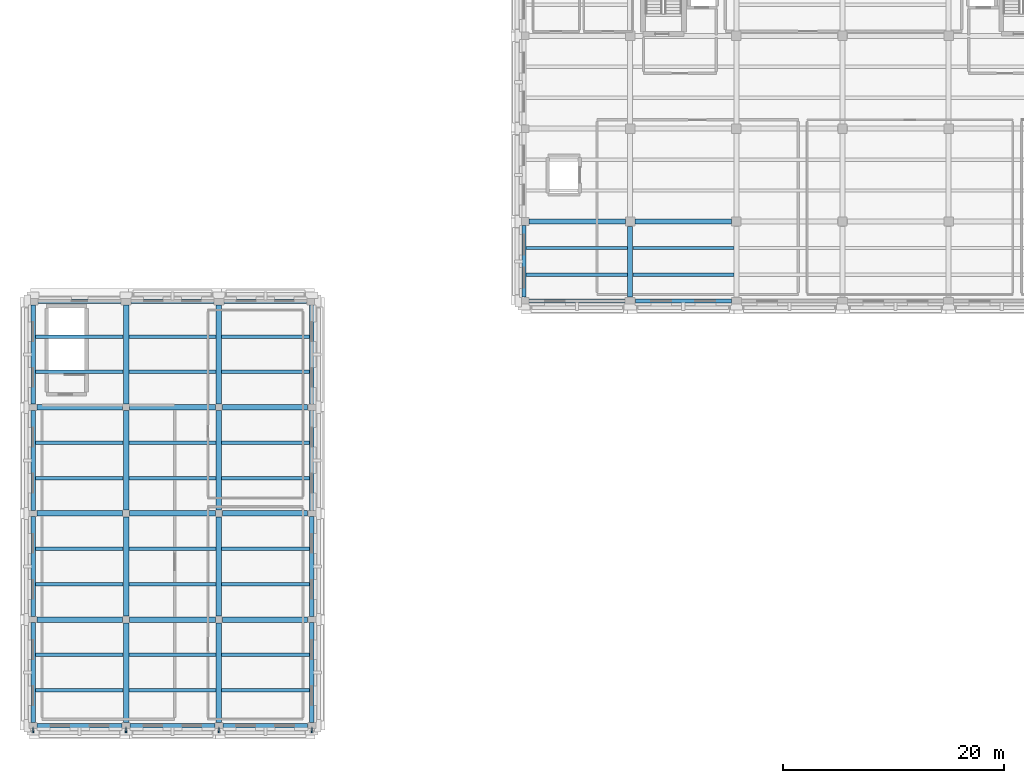
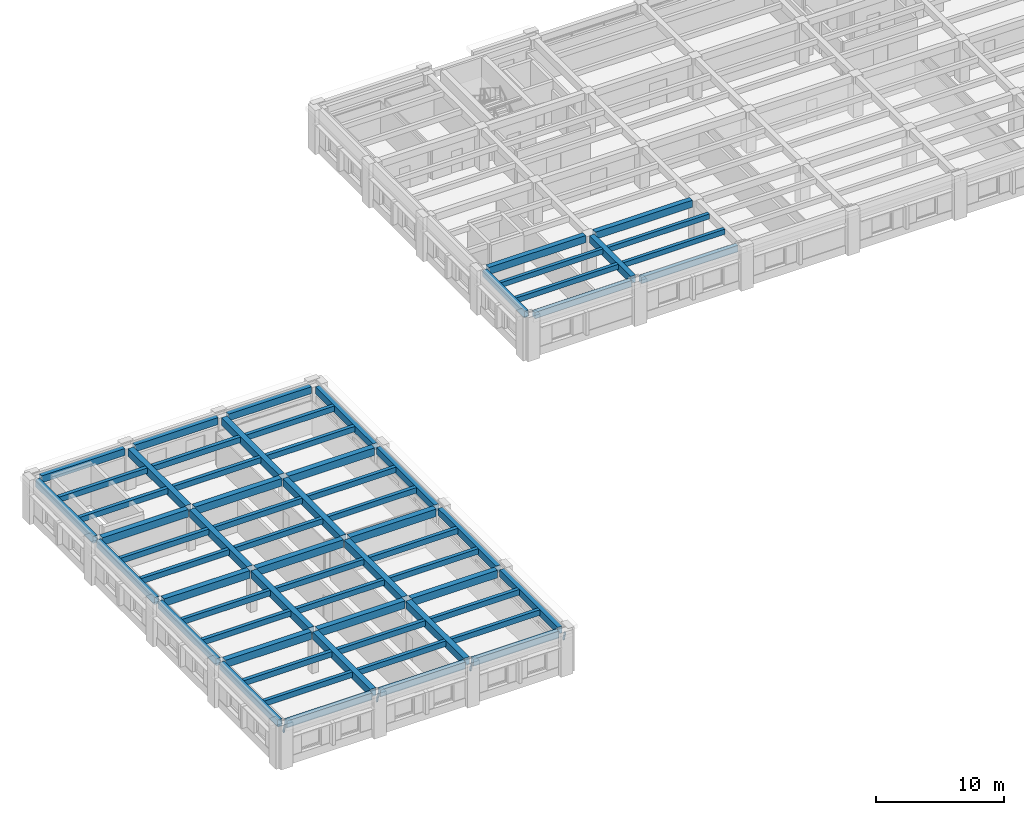
# One storey, part 2 of 17: 65 beams, 4 members.
"""IFC4 building model written with IfcOpenShell, lengths in metres."""

from ifc_helpers import new_model, si_unit, direction, frame, origin, origin_2d, place, context, subcontext, project, spatial, rectangle, hollow_rectangle, extrude, material, material_profile, profile_set, type_object, element, save


model = new_model("IFC4")

# Units and contexts
model_context = context("Model", 3, precision=1e-05, world=origin(), true_north=direction((0.0, 1.0)))
body_context = subcontext(model_context, "Body", "Model", "MODEL_VIEW")
ifc_project = project(units=[si_unit("LENGTHUNIT", "METRE"), si_unit("AREAUNIT", "SQUARE_METRE"), si_unit("VOLUMEUNIT", "CUBIC_METRE"), si_unit("PLANEANGLEUNIT", "RADIAN"), si_unit("MASSUNIT", "GRAM", prefix="KILO")], contexts=[model_context])

# Site, building, storey
site_placement = place(None, origin())
site = spatial("IfcSite", under=ifc_project, at=site_placement, CompositionType="ELEMENT")
building_placement = place(site_placement, origin())
building = spatial("IfcBuilding", under=site, at=building_placement, Name="Bempovik Park Faculty of Sciences", CompositionType="ELEMENT")
storey_placement = place(building_placement, frame((0.0, 0.0, 22.5)))
storey = spatial("IfcBuildingStorey", under=building, at=storey_placement, Name="L05", CompositionType="ELEMENT", Elevation=22.5)

# Beams
ifc_material_1 = material(Name="Concrete C35/45", Category="concrete")
ifc_material_profile_1 = material_profile(ifc_material_1, rectangle(XDim=0.320068359375, YDim=0.52001953125, at=origin_2d()), Name="RC 320x520")
ifc_profile_set_1 = profile_set([ifc_material_profile_1], Name="Concrete C35/45")
beam_type_1 = type_object("IfcBeamType", Name="B-028 RC 320x520", PredefinedType="JOIST", material=ifc_profile_set_1)
for number, where, z_axis, x_axis, name in (
    (1, (15.805908203125, 51.800048828125, 3.719970703125), (1.0, 0.0, 0.0), (0.0, 1.0, 0.0), "L05 Secondary Joist (15.6-24.0, y=51.80)"),
    (2, (15.805908203125, 55.0, 3.719970703125), (1.0, 0.0, 0.0), (0.0, 1.0, 0.0), "L05 Secondary Joist (15.6-24.0, y=55.00)"),
    (3, (15.805908203125, 61.39990234375, 3.719970703125), (1.0, 0.0, 0.0), (0.0, 1.0, 0.0), "L05 Secondary Joist (15.6-24.0, y=61.40)"),
    (4, (15.805908203125, 64.60009765625, 3.719970703125), (1.0, 0.0, 0.0), (0.0, 1.0, 0.0), "L05 Secondary Joist (15.6-24.0, y=64.60)"),
    (5, (15.805908203125, 71.0, 3.719970703125), (1.0, 0.0, 0.0), (0.0, 1.0, 0.0), "L05 Secondary Joist (15.6-24.0, y=71.00)"),
    (6, (15.805908203125, 74.199951171875, 3.719970703125), (1.0, 0.0, 0.0), (0.0, 1.0, 0.0), "L05 Secondary Joist (15.6-24.0, y=74.20)"),
    (7, (15.805908203125, 80.60009765625, 3.719970703125), (1.0, 0.0, 0.0), (0.0, 1.0, 0.0), "L05 Secondary Joist (15.6-24.0, y=80.60)"),
    (8, (15.805908203125, 83.800048828125, 3.719970703125), (1.0, 0.0, 0.0), (0.0, 1.0, 0.0), "L05 Secondary Joist (15.6-24.0, y=83.80)"),
):
    element("IfcBeam", number, at=place(storey_placement, frame(where, z_axis=z_axis, x_axis=x_axis)), inside=storey, type_object=beam_type_1, Name=name, PredefinedType="JOIST", context=body_context, shape_type="SweptSolid", body=[
        extrude(rectangle(XDim=0.320068359375, YDim=0.52001953125, at=origin_2d()), origin(), (0.0, 0.0, 1.0), 7.93798828125),
    ])
for number, where, z_axis, x_axis, name in (
    (9, (24.256103515625, 51.800048828125, 3.719970703125), (1.0, 0.0, 0.0), (0.0, 1.0, 0.0), "L05 Secondary Joist (24.0-32.4, y=51.80)"),
    (10, (24.256103515625, 55.0, 3.719970703125), (1.0, 0.0, 0.0), (0.0, 1.0, 0.0), "L05 Secondary Joist (24.0-32.4, y=55.00)"),
    (11, (24.256103515625, 61.39990234375, 3.719970703125), (1.0, 0.0, 0.0), (0.0, 1.0, 0.0), "L05 Secondary Joist (24.0-32.4, y=61.40)"),
    (12, (24.256103515625, 64.60009765625, 3.719970703125), (1.0, 0.0, 0.0), (0.0, 1.0, 0.0), "L05 Secondary Joist (24.0-32.4, y=64.60)"),
    (13, (24.256103515625, 71.0, 3.719970703125), (1.0, 0.0, 0.0), (0.0, 1.0, 0.0), "L05 Secondary Joist (24.0-32.4, y=71.00)"),
    (14, (24.256103515625, 74.199951171875, 3.719970703125), (1.0, 0.0, 0.0), (0.0, 1.0, 0.0), "L05 Secondary Joist (24.0-32.4, y=74.20)"),
    (15, (24.256103515625, 80.60009765625, 3.719970703125), (1.0, 0.0, 0.0), (0.0, 1.0, 0.0), "L05 Secondary Joist (24.0-32.4, y=80.60)"),
    (16, (24.256103515625, 83.800048828125, 3.719970703125), (1.0, 0.0, 0.0), (0.0, 1.0, 0.0), "L05 Secondary Joist (24.0-32.4, y=83.80)"),
):
    element("IfcBeam", number, at=place(storey_placement, frame(where, z_axis=z_axis, x_axis=x_axis)), inside=storey, type_object=beam_type_1, Name=name, PredefinedType="JOIST", context=body_context, shape_type="SweptSolid", body=[
        extrude(rectangle(XDim=0.320068359375, YDim=0.52001953125, at=origin_2d()), origin(), (0.0, 0.0, 1.0), 7.887939453125),
    ])
for number, where, z_axis, x_axis, name in (
    (17, (32.656005859375, 51.800048828125, 3.719970703125), (1.0, 0.0, 0.0), (0.0, 1.0, 0.0), "L05 Secondary Joist (32.4-40.8, y=51.80)"),
    (18, (32.656005859375, 55.0, 3.719970703125), (1.0, 0.0, 0.0), (0.0, 1.0, 0.0), "L05 Secondary Joist (32.4-40.8, y=55.00)"),
    (19, (32.656005859375, 61.39990234375, 3.719970703125), (1.0, 0.0, 0.0), (0.0, 1.0, 0.0), "L05 Secondary Joist (32.4-40.8, y=61.40)"),
    (20, (32.656005859375, 64.60009765625, 3.719970703125), (1.0, 0.0, 0.0), (0.0, 1.0, 0.0), "L05 Secondary Joist (32.4-40.8, y=64.60)"),
    (21, (32.656005859375, 71.0, 3.719970703125), (1.0, 0.0, 0.0), (0.0, 1.0, 0.0), "L05 Secondary Joist (32.4-40.8, y=71.00)"),
    (22, (32.656005859375, 74.199951171875, 3.719970703125), (1.0, 0.0, 0.0), (0.0, 1.0, 0.0), "L05 Secondary Joist (32.4-40.8, y=74.20)"),
    (23, (32.656005859375, 80.60009765625, 3.719970703125), (1.0, 0.0, 0.0), (0.0, 1.0, 0.0), "L05 Secondary Joist (32.4-40.8, y=80.60)"),
    (24, (32.656005859375, 83.800048828125, 3.719970703125), (1.0, 0.0, 0.0), (0.0, 1.0, 0.0), "L05 Secondary Joist (32.4-40.8, y=83.80)"),
):
    element("IfcBeam", number, at=place(storey_placement, frame(where, z_axis=z_axis, x_axis=x_axis)), inside=storey, type_object=beam_type_1, Name=name, PredefinedType="JOIST", context=body_context, shape_type="SweptSolid", body=[
        extrude(rectangle(XDim=0.320068359375, YDim=0.52001953125, at=origin_2d()), origin(), (0.0, 0.0, 1.0), 7.93798828125),
    ])
ifc_material_profile_2 = material_profile(ifc_material_1, rectangle(XDim=0.3798828125, YDim=0.60009765625, at=origin_2d()), Name="RC 380x600")
ifc_profile_set_2 = profile_set([ifc_material_profile_2], Name="Concrete C35/45")
beam_type_2 = type_object("IfcBeamType", Name="B-032 RC 380x600", PredefinedType="SPANDREL", material=ifc_profile_set_2)
for number, where, z_axis, x_axis, name in (
    (25, (60.4560546875, 87.0, 3.679931640625), (1.0, 0.0, 0.0), (0.0, 1.0, 0.0), "L05 Beam X (60.0-69.6, y=87.0)"),
    (26, (70.055908203125, 87.0, 3.659912109375), (1.0, 0.0, 0.0), (0.0, 1.0, 0.0), "L05 Beam X (69.6-79.2, y=87.0)"),
):
    element("IfcBeam", number, at=place(storey_placement, frame(where, z_axis=z_axis, x_axis=x_axis)), inside=storey, type_object=beam_type_2, Name=name, PredefinedType="SPANDREL", context=body_context, shape_type="SweptSolid", body=[
        extrude(rectangle(XDim=0.3798828125, YDim=0.60009765625, at=origin_2d()), origin(), (0.0, 0.0, 1.0), 8.68798828125),
    ])
beam_1_placement = place(storey_placement, frame((60.0, 87.35595703125, 3.679931640625), z_axis=(0.0, 1.0, 0.0), x_axis=(-1.0, 0.0, 0.0)))
element("IfcBeam", 27, at=beam_1_placement, inside=storey, type_object=beam_type_2, Name="L05 Beam Y (x=60.0, 87.0-94.2)", PredefinedType="SPANDREL", context=body_context, shape_type="SweptSolid", body=[
    extrude(rectangle(XDim=0.3798828125, YDim=0.60009765625, at=origin_2d()), origin(), (0.0, 0.0, 1.0), 6.488037109375),
])
ifc_material_profile_3 = material_profile(ifc_material_1, rectangle(XDim=0.300048828125, YDim=0.47998046875, at=origin_2d()), Name="RC 300x480")
ifc_profile_set_3 = profile_set([ifc_material_profile_3], Name="Concrete C35/45")
beam_type_3 = type_object("IfcBeamType", Name="B-039 RC 300x480", PredefinedType="JOIST", material=ifc_profile_set_3)
for number, where, z_axis, x_axis, name in (
    (28, (60.196044921875, 89.39990234375, 3.739990234375), (1.0, 0.0, 0.0), (0.0, 1.0, 0.0), "L05 Secondary Joist (60.0-69.6, y=89.40)"),
    (29, (60.196044921875, 91.800048828125, 3.739990234375), (1.0, 0.0, 0.0), (0.0, 1.0, 0.0), "L05 Secondary Joist (60.0-69.6, y=91.80)"),
):
    element("IfcBeam", number, at=place(storey_placement, frame(where, z_axis=z_axis, x_axis=x_axis)), inside=storey, type_object=beam_type_3, Name=name, PredefinedType="JOIST", context=body_context, shape_type="SweptSolid", body=[
        extrude(rectangle(XDim=0.300048828125, YDim=0.47998046875, at=origin_2d()), origin(), (0.0, 0.0, 1.0), 9.1728515625),
    ])
for number, where, z_axis, x_axis, name in (
    (30, (69.8310546875, 89.39990234375, 3.719970703125), (1.0, 0.0, 0.0), (0.0, 1.0, 0.0), "L05 Secondary Joist (69.6-79.2, y=89.40)"),
    (31, (69.8310546875, 91.800048828125, 3.719970703125), (1.0, 0.0, 0.0), (0.0, 1.0, 0.0), "L05 Secondary Joist (69.6-79.2, y=91.80)"),
):
    element("IfcBeam", number, at=place(storey_placement, frame(where, z_axis=z_axis, x_axis=x_axis)), inside=storey, type_object=beam_type_3, Name=name, PredefinedType="JOIST", context=body_context, shape_type="SweptSolid", body=[
        extrude(rectangle(XDim=0.300048828125, YDim=0.47998046875, at=origin_2d()), origin(), (0.0, 0.0, 1.0), 9.137939453125),
    ])
ifc_material_profile_4 = material_profile(ifc_material_1, rectangle(XDim=0.5, YDim=0.719970703125, at=origin_2d()), Name="RC 500x720")
ifc_profile_set_4 = profile_set([ifc_material_profile_4], Name="Concrete C35/45")
beam_type_4 = type_object("IfcBeamType", Name="B-092 RC 500x720", PredefinedType="BEAM", material=ifc_profile_set_4)
beam_2_placement = place(storey_placement, frame((15.966064453125, 58.199951171875, 3.6201171875), z_axis=(1.0, 0.0, 0.0), x_axis=(0.0, 1.0, 0.0)))
element("IfcBeam", 32, at=beam_2_placement, inside=storey, type_object=beam_type_4, Name="L05 Beam X (15.6-24.0, y=58.2)", PredefinedType="BEAM", context=body_context, shape_type="SweptSolid", body=[
    extrude(rectangle(XDim=0.5, YDim=0.719970703125, at=origin_2d()), origin(), (0.0, 0.0, 1.0), 7.72802734375),
])
beam_3_placement = place(storey_placement, frame((24.305908203125, 58.199951171875, 3.6201171875), z_axis=(1.0, 0.0, 0.0), x_axis=(0.0, 1.0, 0.0)))
element("IfcBeam", 33, at=beam_3_placement, inside=storey, type_object=beam_type_4, Name="L05 Beam X (24.0-32.4, y=58.2)", PredefinedType="BEAM", context=body_context, shape_type="SweptSolid", body=[
    extrude(rectangle(XDim=0.5, YDim=0.719970703125, at=origin_2d()), origin(), (0.0, 0.0, 1.0), 7.7880859375),
])
for number, where, z_axis, x_axis, name in (
    (34, (32.7060546875, 58.199951171875, 3.6201171875), (1.0, 0.0, 0.0), (0.0, 1.0, 0.0), "L05 Beam X (32.4-40.8, y=58.2)"),
    (35, (15.966064453125, 67.800048828125, 3.6201171875), (1.0, 0.0, 0.0), (0.0, 1.0, 0.0), "L05 Beam X (15.6-24.0, y=67.8)"),
):
    element("IfcBeam", number, at=place(storey_placement, frame(where, z_axis=z_axis, x_axis=x_axis)), inside=storey, type_object=beam_type_4, Name=name, PredefinedType="BEAM", context=body_context, shape_type="SweptSolid", body=[
        extrude(rectangle(XDim=0.5, YDim=0.719970703125, at=origin_2d()), origin(), (0.0, 0.0, 1.0), 7.72802734375),
    ])
beam_4_placement = place(storey_placement, frame((24.305908203125, 67.800048828125, 3.6201171875), z_axis=(1.0, 0.0, 0.0), x_axis=(0.0, 1.0, 0.0)))
element("IfcBeam", 36, at=beam_4_placement, inside=storey, type_object=beam_type_4, Name="L05 Beam X (24.0-32.4, y=67.8)", PredefinedType="BEAM", context=body_context, shape_type="SweptSolid", body=[
    extrude(rectangle(XDim=0.5, YDim=0.719970703125, at=origin_2d()), origin(), (0.0, 0.0, 1.0), 7.7880859375),
])
for number, where, z_axis, x_axis, name in (
    (37, (32.7060546875, 67.800048828125, 3.6201171875), (1.0, 0.0, 0.0), (0.0, 1.0, 0.0), "L05 Beam X (32.4-40.8, y=67.8)"),
    (38, (15.966064453125, 77.39990234375, 3.6201171875), (1.0, 0.0, 0.0), (0.0, 1.0, 0.0), "L05 Beam X (15.6-24.0, y=77.4)"),
):
    element("IfcBeam", number, at=place(storey_placement, frame(where, z_axis=z_axis, x_axis=x_axis)), inside=storey, type_object=beam_type_4, Name=name, PredefinedType="BEAM", context=body_context, shape_type="SweptSolid", body=[
        extrude(rectangle(XDim=0.5, YDim=0.719970703125, at=origin_2d()), origin(), (0.0, 0.0, 1.0), 7.72802734375),
    ])
beam_5_placement = place(storey_placement, frame((24.305908203125, 77.39990234375, 3.6201171875), z_axis=(1.0, 0.0, 0.0), x_axis=(0.0, 1.0, 0.0)))
element("IfcBeam", 39, at=beam_5_placement, inside=storey, type_object=beam_type_4, Name="L05 Beam X (24.0-32.4, y=77.4)", PredefinedType="BEAM", context=body_context, shape_type="SweptSolid", body=[
    extrude(rectangle(XDim=0.5, YDim=0.719970703125, at=origin_2d()), origin(), (0.0, 0.0, 1.0), 7.7880859375),
])
beam_6_placement = place(storey_placement, frame((32.7060546875, 77.39990234375, 3.6201171875), z_axis=(1.0, 0.0, 0.0), x_axis=(0.0, 1.0, 0.0)))
element("IfcBeam", 40, at=beam_6_placement, inside=storey, type_object=beam_type_4, Name="L05 Beam X (32.4-40.8, y=77.4)", PredefinedType="BEAM", context=body_context, shape_type="SweptSolid", body=[
    extrude(rectangle(XDim=0.5, YDim=0.719970703125, at=origin_2d()), origin(), (0.0, 0.0, 1.0), 7.72802734375),
])
beam_7_placement = place(storey_placement, frame((24.0, 48.8759765625, 3.6201171875), z_axis=(0.0, 1.0, 0.0), x_axis=(-1.0, 0.0, 0.0)))
element("IfcBeam", 41, at=beam_7_placement, inside=storey, type_object=beam_type_4, Name="L05 Beam Y (x=24.0, 48.6-58.2)", PredefinedType="BEAM", context=body_context, shape_type="SweptSolid", body=[
    extrude(rectangle(XDim=0.5, YDim=0.719970703125, at=origin_2d()), origin(), (0.0, 0.0, 1.0), 9.01806640625),
])
beam_8_placement = place(storey_placement, frame((24.0, 58.506103515625, 3.6201171875), z_axis=(0.0, 1.0, 0.0), x_axis=(-1.0, 0.0, 0.0)))
element("IfcBeam", 42, at=beam_8_placement, inside=storey, type_object=beam_type_4, Name="L05 Beam Y (x=24.0, 58.2-67.8)", PredefinedType="BEAM", context=body_context, shape_type="SweptSolid", body=[
    extrude(rectangle(XDim=0.5, YDim=0.719970703125, at=origin_2d()), origin(), (0.0, 0.0, 1.0), 8.98779296875),
])
beam_9_placement = place(storey_placement, frame((24.0, 68.10595703125, 3.6201171875), z_axis=(0.0, 1.0, 0.0), x_axis=(-1.0, 0.0, 0.0)))
element("IfcBeam", 43, at=beam_9_placement, inside=storey, type_object=beam_type_4, Name="L05 Beam Y (x=24.0, 67.8-77.4)", PredefinedType="BEAM", context=body_context, shape_type="SweptSolid", body=[
    extrude(rectangle(XDim=0.5, YDim=0.719970703125, at=origin_2d()), origin(), (0.0, 0.0, 1.0), 8.988037109375),
])
beam_10_placement = place(storey_placement, frame((24.0, 77.7060546875, 3.6201171875), z_axis=(0.0, 1.0, 0.0), x_axis=(-1.0, 0.0, 0.0)))
element("IfcBeam", 44, at=beam_10_placement, inside=storey, type_object=beam_type_4, Name="L05 Beam Y (x=24.0, 77.4-87.0)", PredefinedType="BEAM", context=body_context, shape_type="SweptSolid", body=[
    extrude(rectangle(XDim=0.5, YDim=0.719970703125, at=origin_2d()), origin(), (0.0, 0.0, 1.0), 8.93798828125),
])
beam_11_placement = place(storey_placement, frame((32.39990234375, 48.8759765625, 3.6201171875), z_axis=(0.0, 1.0, 0.0), x_axis=(-1.0, 0.0, 0.0)))
element("IfcBeam", 45, at=beam_11_placement, inside=storey, type_object=beam_type_4, Name="L05 Beam Y (x=32.4, 48.6-58.2)", PredefinedType="BEAM", context=body_context, shape_type="SweptSolid", body=[
    extrude(rectangle(XDim=0.5, YDim=0.719970703125, at=origin_2d()), origin(), (0.0, 0.0, 1.0), 9.01806640625),
])
beam_12_placement = place(storey_placement, frame((32.39990234375, 58.506103515625, 3.6201171875), z_axis=(0.0, 1.0, 0.0), x_axis=(-1.0, 0.0, 0.0)))
element("IfcBeam", 46, at=beam_12_placement, inside=storey, type_object=beam_type_4, Name="L05 Beam Y (x=32.4, 58.2-67.8)", PredefinedType="BEAM", context=body_context, shape_type="SweptSolid", body=[
    extrude(rectangle(XDim=0.5, YDim=0.719970703125, at=origin_2d()), origin(), (0.0, 0.0, 1.0), 8.98779296875),
])
beam_13_placement = place(storey_placement, frame((32.39990234375, 68.10595703125, 3.6201171875), z_axis=(0.0, 1.0, 0.0), x_axis=(-1.0, 0.0, 0.0)))
element("IfcBeam", 47, at=beam_13_placement, inside=storey, type_object=beam_type_4, Name="L05 Beam Y (x=32.4, 67.8-77.4)", PredefinedType="BEAM", context=body_context, shape_type="SweptSolid", body=[
    extrude(rectangle(XDim=0.5, YDim=0.719970703125, at=origin_2d()), origin(), (0.0, 0.0, 1.0), 8.988037109375),
])
beam_14_placement = place(storey_placement, frame((32.39990234375, 77.7060546875, 3.6201171875), z_axis=(0.0, 1.0, 0.0), x_axis=(-1.0, 0.0, 0.0)))
element("IfcBeam", 48, at=beam_14_placement, inside=storey, type_object=beam_type_4, Name="L05 Beam Y (x=32.4, 77.4-87.0)", PredefinedType="BEAM", context=body_context, shape_type="SweptSolid", body=[
    extrude(rectangle(XDim=0.5, YDim=0.719970703125, at=origin_2d()), origin(), (0.0, 0.0, 1.0), 8.93798828125),
])
ifc_material_profile_5 = material_profile(ifc_material_1, rectangle(XDim=0.39990234375, YDim=0.659912109375, at=origin_2d()), Name="RC 400x660")
ifc_profile_set_5 = profile_set([ifc_material_profile_5], Name="Concrete C35/45")
beam_type_5 = type_object("IfcBeamType", Name="B-097 RC 400x660", PredefinedType="SPANDREL", material=ifc_profile_set_5)
for number, where, z_axis, x_axis, name in (
    (49, (15.966064453125, 48.60009765625, 3.64990234375), (1.0, 0.0, 0.0), (0.0, 1.0, 0.0), "L05 Beam X (15.6-24.0, y=48.6)"),
    (50, (24.365966796875, 48.60009765625, 3.64990234375), (1.0, 0.0, 0.0), (0.0, 1.0, 0.0), "L05 Beam X (24.0-32.4, y=48.6)"),
    (51, (32.76611328125, 48.60009765625, 3.64990234375), (1.0, 0.0, 0.0), (0.0, 1.0, 0.0), "L05 Beam X (32.4-40.8, y=48.6)"),
):
    element("IfcBeam", number, at=place(storey_placement, frame(where, z_axis=z_axis, x_axis=x_axis)), inside=storey, type_object=beam_type_5, Name=name, PredefinedType="SPANDREL", context=body_context, shape_type="SweptSolid", body=[
        extrude(rectangle(XDim=0.39990234375, YDim=0.659912109375, at=origin_2d()), origin(), (0.0, 0.0, 1.0), 7.66796875),
    ])
for number, where, z_axis, x_axis, name in (
    (52, (16.055908203125, 87.0, 3.64990234375), (1.0, 0.0, 0.0), (0.0, 1.0, 0.0), "L05 Beam X (15.6-24.0, y=87.0)"),
    (53, (24.4560546875, 87.0, 3.64990234375), (1.0, 0.0, 0.0), (0.0, 1.0, 0.0), "L05 Beam X (24.0-32.4, y=87.0)"),
    (54, (32.85595703125, 87.0, 3.64990234375), (1.0, 0.0, 0.0), (0.0, 1.0, 0.0), "L05 Beam X (32.4-40.8, y=87.0)"),
):
    element("IfcBeam", number, at=place(storey_placement, frame(where, z_axis=z_axis, x_axis=x_axis)), inside=storey, type_object=beam_type_5, Name=name, PredefinedType="SPANDREL", context=body_context, shape_type="SweptSolid", body=[
        extrude(rectangle(XDim=0.39990234375, YDim=0.659912109375, at=origin_2d()), origin(), (0.0, 0.0, 1.0), 7.488037109375),
    ])
beam_15_placement = place(storey_placement, frame((15.60009765625, 48.8759765625, 3.64990234375), z_axis=(0.0, 1.0, 0.0), x_axis=(-1.0, 0.0, 0.0)))
element("IfcBeam", 55, at=beam_15_placement, inside=storey, type_object=beam_type_5, Name="L05 Beam Y (x=15.6, 48.6-58.2)", PredefinedType="SPANDREL", context=body_context, shape_type="SweptSolid", body=[
    extrude(rectangle(XDim=0.39990234375, YDim=0.659912109375, at=origin_2d()), origin(), (0.0, 0.0, 1.0), 9.048095703125),
])
beam_16_placement = place(storey_placement, frame((15.60009765625, 58.47607421875, 3.64990234375), z_axis=(0.0, 1.0, 0.0), x_axis=(-1.0, 0.0, 0.0)))
element("IfcBeam", 56, at=beam_16_placement, inside=storey, type_object=beam_type_5, Name="L05 Beam Y (x=15.6, 58.2-67.8)", PredefinedType="SPANDREL", context=body_context, shape_type="SweptSolid", body=[
    extrude(rectangle(XDim=0.39990234375, YDim=0.659912109375, at=origin_2d()), origin(), (0.0, 0.0, 1.0), 9.0478515625),
])
beam_17_placement = place(storey_placement, frame((15.60009765625, 68.075927734375, 3.64990234375), z_axis=(0.0, 1.0, 0.0), x_axis=(-1.0, 0.0, 0.0)))
element("IfcBeam", 57, at=beam_17_placement, inside=storey, type_object=beam_type_5, Name="L05 Beam Y (x=15.6, 67.8-77.4)", PredefinedType="SPANDREL", context=body_context, shape_type="SweptSolid", body=[
    extrude(rectangle(XDim=0.39990234375, YDim=0.659912109375, at=origin_2d()), origin(), (0.0, 0.0, 1.0), 9.048095703125),
])
beam_18_placement = place(storey_placement, frame((15.60009765625, 77.676025390625, 3.64990234375), z_axis=(0.0, 1.0, 0.0), x_axis=(-1.0, 0.0, 0.0)))
element("IfcBeam", 58, at=beam_18_placement, inside=storey, type_object=beam_type_5, Name="L05 Beam Y (x=15.6, 77.4-87.0)", PredefinedType="SPANDREL", context=body_context, shape_type="SweptSolid", body=[
    extrude(rectangle(XDim=0.39990234375, YDim=0.659912109375, at=origin_2d()), origin(), (0.0, 0.0, 1.0), 8.968017578125),
])
beam_19_placement = place(storey_placement, frame((40.800048828125, 48.8759765625, 3.64990234375), z_axis=(0.0, 1.0, 0.0), x_axis=(-1.0, 0.0, 0.0)))
element("IfcBeam", 59, at=beam_19_placement, inside=storey, type_object=beam_type_5, Name="L05 Beam Y (x=40.8, 48.6-58.2)", PredefinedType="SPANDREL", context=body_context, shape_type="SweptSolid", body=[
    extrude(rectangle(XDim=0.39990234375, YDim=0.659912109375, at=origin_2d()), origin(), (0.0, 0.0, 1.0), 9.048095703125),
])
beam_20_placement = place(storey_placement, frame((40.800048828125, 58.47607421875, 3.64990234375), z_axis=(0.0, 1.0, 0.0), x_axis=(-1.0, 0.0, 0.0)))
element("IfcBeam", 60, at=beam_20_placement, inside=storey, type_object=beam_type_5, Name="L05 Beam Y (x=40.8, 58.2-67.8)", PredefinedType="SPANDREL", context=body_context, shape_type="SweptSolid", body=[
    extrude(rectangle(XDim=0.39990234375, YDim=0.659912109375, at=origin_2d()), origin(), (0.0, 0.0, 1.0), 9.0478515625),
])
beam_21_placement = place(storey_placement, frame((40.800048828125, 68.075927734375, 3.64990234375), z_axis=(0.0, 1.0, 0.0), x_axis=(-1.0, 0.0, 0.0)))
element("IfcBeam", 61, at=beam_21_placement, inside=storey, type_object=beam_type_5, Name="L05 Beam Y (x=40.8, 67.8-77.4)", PredefinedType="SPANDREL", context=body_context, shape_type="SweptSolid", body=[
    extrude(rectangle(XDim=0.39990234375, YDim=0.659912109375, at=origin_2d()), origin(), (0.0, 0.0, 1.0), 9.048095703125),
])
beam_22_placement = place(storey_placement, frame((40.800048828125, 77.676025390625, 3.64990234375), z_axis=(0.0, 1.0, 0.0), x_axis=(-1.0, 0.0, 0.0)))
element("IfcBeam", 62, at=beam_22_placement, inside=storey, type_object=beam_type_5, Name="L05 Beam Y (x=40.8, 77.4-87.0)", PredefinedType="SPANDREL", context=body_context, shape_type="SweptSolid", body=[
    extrude(rectangle(XDim=0.39990234375, YDim=0.659912109375, at=origin_2d()), origin(), (0.0, 0.0, 1.0), 8.968017578125),
])
ifc_material_profile_6 = material_profile(ifc_material_1, rectangle(XDim=0.449951171875, YDim=0.679931640625, at=origin_2d()), Name="RC 450x680")
ifc_profile_set_6 = profile_set([ifc_material_profile_6], Name="Concrete C35/45")
beam_type_6 = type_object("IfcBeamType", Name="B-113 RC 450x680", PredefinedType="BEAM", material=ifc_profile_set_6)
beam_23_placement = place(storey_placement, frame((60.4560546875, 94.199951171875, 3.580078125), z_axis=(1.0, 0.0, 0.0), x_axis=(0.0, 1.0, 0.0)))
element("IfcBeam", 63, at=beam_23_placement, inside=storey, type_object=beam_type_6, Name="L05 Beam X (60.0-69.6, y=94.2)", PredefinedType="BEAM", context=body_context, shape_type="SweptSolid", body=[
    extrude(rectangle(XDim=0.449951171875, YDim=0.679931640625, at=origin_2d()), origin(), (0.0, 0.0, 1.0), 8.712890625),
])
beam_24_placement = place(storey_placement, frame((70.031005859375, 94.199951171875, 3.580078125), z_axis=(1.0, 0.0, 0.0), x_axis=(0.0, 1.0, 0.0)))
element("IfcBeam", 64, at=beam_24_placement, inside=storey, type_object=beam_type_6, Name="L05 Beam X (69.6-79.2, y=94.2)", PredefinedType="BEAM", context=body_context, shape_type="SweptSolid", body=[
    extrude(rectangle(XDim=0.449951171875, YDim=0.679931640625, at=origin_2d()), origin(), (0.0, 0.0, 1.0), 8.738037109375),
])
beam_25_placement = place(storey_placement, frame((69.60009765625, 87.35595703125, 3.6201171875), z_axis=(0.0, 1.0, 0.0), x_axis=(-1.0, 0.0, 0.0)))
element("IfcBeam", 65, at=beam_25_placement, inside=storey, type_object=beam_type_6, Name="L05 Beam Y (x=69.6, 87.0-94.2)", PredefinedType="BEAM", context=body_context, shape_type="SweptSolid", body=[
    extrude(rectangle(XDim=0.449951171875, YDim=0.679931640625, at=origin_2d()), origin(), (0.0, 0.0, 1.0), 6.4130859375),
])

# Members
ifc_material_2 = material(Name="Steel S355", Category="steel")
ifc_material_profile_7 = material_profile(ifc_material_2, hollow_rectangle(XDim=0.10009765625, YDim=0.179931640625, WallThickness=0.008056640625, at=origin_2d()), Name="RHS 180x100x8")
ifc_profile_set_7 = profile_set([ifc_material_profile_7], Name="Steel S355")
member_type = type_object("IfcMemberType", Name="M-35 RHS 180x100x8", PredefinedType="STRUT", material=ifc_profile_set_7)
for number, where, z_axis, x_axis, name in (
    (66, (15.60009765625, 48.323974609375, 3.10009765625), (0.0, -0.286261845293, 0.958151426409), (1.0, 0.0, 0.0), "West Wing Classical Eave Strut 1"),
    (67, (24.0, 48.323974609375, 3.10009765625), (0.0, -0.286261845293, 0.958151426409), (1.0, 0.0, 0.0), "West Wing Classical Eave Strut 2"),
    (68, (32.39990234375, 48.323974609375, 3.10009765625), (0.0, -0.286261845293, 0.958151426409), (1.0, 0.0, 0.0), "West Wing Classical Eave Strut 3"),
    (69, (40.800048828125, 48.323974609375, 3.10009765625), (0.0, -0.286261845293, 0.958151426409), (1.0, 0.0, 0.0), "West Wing Classical Eave Strut 4"),
):
    element("IfcMember", number, at=place(storey_placement, frame(where, z_axis=z_axis, x_axis=x_axis)), inside=storey, type_object=member_type, Name=name, PredefinedType="STRUT", context=body_context, shape_type="SweptSolid", body=[
        extrude(hollow_rectangle(XDim=0.10009765625, YDim=0.179931640625, WallThickness=0.008056640625, at=origin_2d()), origin(), (0.0, 0.0, 1.0), 0.886962890625),
    ])

save(model, "model.ifc")
